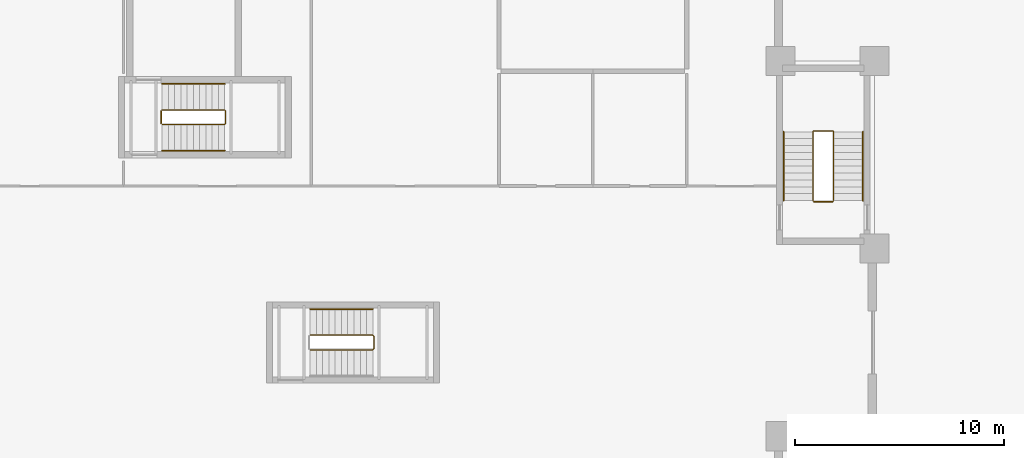
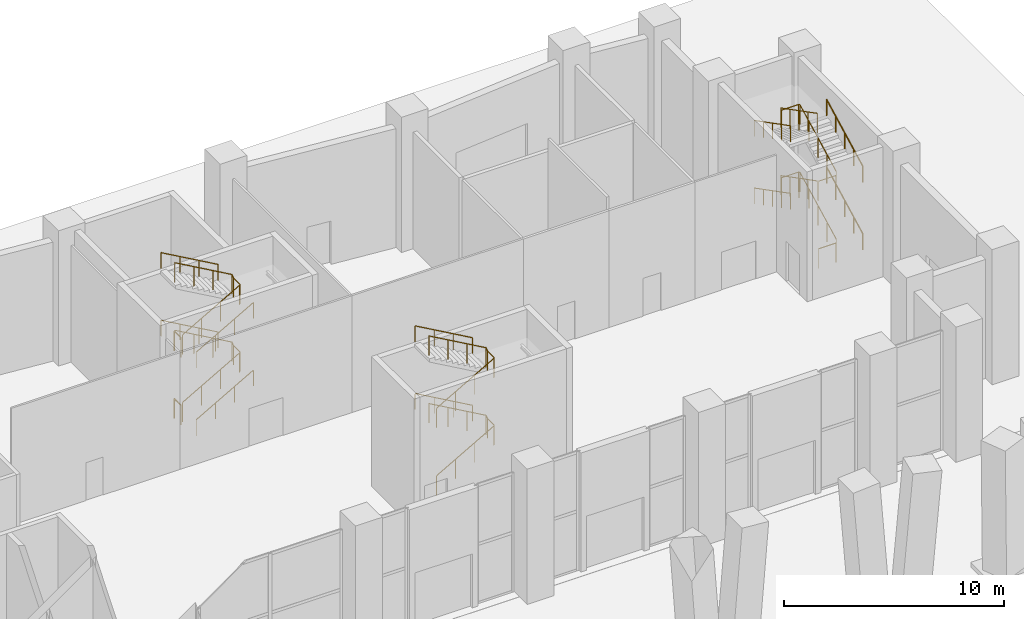
# One storey, part 15 of 16: 20 railings.
"""IFC4 building model written with IfcOpenShell, lengths in metres."""

from ifc_helpers import new_model, si_unit, direction, frame, origin, origin_2d, place, context, subcontext, project, spatial, circle, extrude, material, type_object, element, save


model = new_model("IFC4")

# Units and contexts
model_context = context("Model", 3, precision=1e-05, world=origin(), true_north=direction((0.0, 1.0)))
body_context = subcontext(model_context, "Body", "Model", "MODEL_VIEW")
ifc_project = project(units=[si_unit("LENGTHUNIT", "METRE"), si_unit("AREAUNIT", "SQUARE_METRE"), si_unit("VOLUMEUNIT", "CUBIC_METRE"), si_unit("PLANEANGLEUNIT", "RADIAN"), si_unit("MASSUNIT", "GRAM", prefix="KILO")], contexts=[model_context])

# Site, building, storey
site_placement = place(None, origin())
site = spatial("IfcSite", under=ifc_project, at=site_placement, CompositionType="ELEMENT")
building_placement = place(site_placement, origin())
building = spatial("IfcBuilding", under=site, at=building_placement, Name="Brondeck Convention Tower", CompositionType="ELEMENT")
storey_placement = place(building_placement, origin())
storey = spatial("IfcBuildingStorey", under=building, at=storey_placement, Name="L00", CompositionType="ELEMENT", Elevation=0.0)

# Railings
ifc_material = material(Name="Steel S355", Category="steel")
railing_type_1 = type_object("IfcRailingType", Name="Stair guard 1100", PredefinedType="GUARDRAIL", material=ifc_material)
railing_1_placement = place(storey_placement, frame((37.85009765625, 55.449951171875, 0.17041015625)))
element("IfcRailing", 1, at=railing_1_placement, inside=storey, type_object=railing_type_1, Name="L00 ST-AE stair guard 1", PredefinedType="GUARDRAIL", context=body_context, shape_type="SweptSolid", body=[
    extrude(circle(Radius=0.02392578125, at=origin_2d()), frame((0.0, 0.0, 1.076171875), z_axis=(0.869451031676, 0.0, 0.494019132744), x_axis=(0.0, 1.0, 0.0)), (0.0, 0.0, 1.0), 3.450439453125),
    extrude(circle(Radius=0.02392578125, at=origin_2d()), frame((3.0, 0.0, 2.78076171875), z_axis=(0.705375805398, 0.708833529934, 0.0), x_axis=(-0.708833529934, 0.705375805398, 0.0)), (0.0, 0.0, 1.0), 0.070556640625),
    extrude(circle(Radius=0.02392578125, at=origin_2d()), frame((3.0498046875, 0.050048828125, 2.78076171875), z_axis=(0.0, 1.0, 0.0), x_axis=(-1.0, 0.0, 0.0)), (0.0, 0.0, 1.0), 0.60009765625),
    extrude(circle(Radius=0.02392578125, at=origin_2d()), frame((3.0498046875, 0.650146484375, 2.78076171875), z_axis=(-0.27010131868, 0.27010131868, 0.924170198229), x_axis=(-0.707106781187, -0.707106781187, 0.0)), (0.0, 0.0, 1.0), 0.184326171875),
    extrude(circle(Radius=0.02392578125, at=origin_2d()), frame((3.0, 0.699951171875, 2.951171875), z_axis=(-0.869451031676, 0.0, 0.494019132744), x_axis=(0.0, -1.0, 0.0)), (0.0, 0.0, 1.0), 3.450439453125),
    extrude(circle(Radius=0.02099609375, at=origin_2d()), origin(), (0.0, 0.0, 1.0), 1.052001953125),
    extrude(circle(Radius=0.02099609375, at=origin_2d()), frame((1.0, 0.0, 0.568115234375)), (0.0, 0.0, 1.0), 1.052001953125),
    extrude(circle(Radius=0.02099609375, at=origin_2d()), frame((2.0, 0.0, 1.136474609375)), (0.0, 0.0, 1.0), 1.052001953125),
    extrude(circle(Radius=0.02099609375, at=origin_2d()), frame((3.0, 0.0, 1.70458984375)), (0.0, 0.0, 1.0), 1.052001953125),
    extrude(circle(Radius=0.02099609375, at=origin_2d()), frame((3.0498046875, 0.050048828125, 1.70458984375)), (0.0, 0.0, 1.0), 1.052001953125),
    extrude(circle(Radius=0.02099609375, at=origin_2d()), frame((3.0498046875, 0.650146484375, 1.70458984375)), (0.0, 0.0, 1.0), 1.052001953125),
    extrude(circle(Radius=0.02099609375, at=origin_2d()), frame((3.0, 0.699951171875, 1.875)), (0.0, 0.0, 1.0), 1.052001953125),
    extrude(circle(Radius=0.02099609375, at=origin_2d()), frame((2.0, 0.699951171875, 2.443115234375)), (0.0, 0.0, 1.0), 1.052001953125),
    extrude(circle(Radius=0.02099609375, at=origin_2d()), frame((1.0, 0.699951171875, 3.011474609375)), (0.0, 0.0, 1.0), 1.052001953125),
    extrude(circle(Radius=0.02099609375, at=origin_2d()), frame((0.0, 0.699951171875, 3.57958984375)), (0.0, 0.0, 1.0), 1.052001953125),
])
railing_2_placement = place(storey_placement, frame((37.800048828125, 55.5, 3.75)))
element("IfcRailing", 2, at=railing_2_placement, inside=storey, type_object=railing_type_1, Name="L00 ST-AE stair guard 2", PredefinedType="GUARDRAIL", context=body_context, shape_type="SweptSolid", body=[
    extrude(circle(Radius=0.02392578125, at=origin_2d()), frame((0.0, 0.0, 1.076171875), z_axis=(0.0, 1.0, 0.0), x_axis=(-1.0, 0.0, 0.0)), (0.0, 0.0, 1.0), 0.60009765625),
    extrude(circle(Radius=0.02099609375, at=origin_2d()), origin(), (0.0, 0.0, 1.0), 1.052001953125),
    extrude(circle(Radius=0.02099609375, at=origin_2d()), frame((0.0, 0.60009765625, 0.0)), (0.0, 0.0, 1.0), 1.052001953125),
])
railing_3_placement = place(storey_placement, frame((37.85009765625, 55.449951171875, 3.92041015625)))
element("IfcRailing", 3, at=railing_3_placement, inside=storey, type_object=railing_type_1, Name="L00 ST-AE stair guard 3", PredefinedType="GUARDRAIL", context=body_context, shape_type="SweptSolid", body=[
    extrude(circle(Radius=0.02392578125, at=origin_2d()), frame((0.0, 0.0, 1.076171875), z_axis=(0.869451031676, 0.0, 0.494019132744), x_axis=(0.0, 1.0, 0.0)), (0.0, 0.0, 1.0), 3.450439453125),
    extrude(circle(Radius=0.02392578125, at=origin_2d()), frame((3.0, 0.0, 2.78076171875), z_axis=(0.705375805398, 0.708833529934, 0.0), x_axis=(-0.708833529934, 0.705375805398, 0.0)), (0.0, 0.0, 1.0), 0.070556640625),
    extrude(circle(Radius=0.02392578125, at=origin_2d()), frame((3.0498046875, 0.050048828125, 2.78076171875), z_axis=(0.0, 1.0, 0.0), x_axis=(-1.0, 0.0, 0.0)), (0.0, 0.0, 1.0), 0.60009765625),
    extrude(circle(Radius=0.02392578125, at=origin_2d()), frame((3.0498046875, 0.650146484375, 2.78076171875), z_axis=(-0.27010131868, 0.27010131868, 0.924170198229), x_axis=(-0.707106781187, -0.707106781187, 0.0)), (0.0, 0.0, 1.0), 0.184326171875),
    extrude(circle(Radius=0.02392578125, at=origin_2d()), frame((3.0, 0.699951171875, 2.951171875), z_axis=(-0.869451031676, 0.0, 0.494019132744), x_axis=(0.0, -1.0, 0.0)), (0.0, 0.0, 1.0), 3.450439453125),
    extrude(circle(Radius=0.02099609375, at=origin_2d()), origin(), (0.0, 0.0, 1.0), 1.052001953125),
    extrude(circle(Radius=0.02099609375, at=origin_2d()), frame((1.0, 0.0, 0.568115234375)), (0.0, 0.0, 1.0), 1.052001953125),
    extrude(circle(Radius=0.02099609375, at=origin_2d()), frame((2.0, 0.0, 1.136474609375)), (0.0, 0.0, 1.0), 1.052001953125),
    extrude(circle(Radius=0.02099609375, at=origin_2d()), frame((3.0, 0.0, 1.70458984375)), (0.0, 0.0, 1.0), 1.052001953125),
    extrude(circle(Radius=0.02099609375, at=origin_2d()), frame((3.0498046875, 0.050048828125, 1.70458984375)), (0.0, 0.0, 1.0), 1.052001953125),
    extrude(circle(Radius=0.02099609375, at=origin_2d()), frame((3.0498046875, 0.650146484375, 1.70458984375)), (0.0, 0.0, 1.0), 1.052001953125),
    extrude(circle(Radius=0.02099609375, at=origin_2d()), frame((3.0, 0.699951171875, 1.875)), (0.0, 0.0, 1.0), 1.052001953125),
    extrude(circle(Radius=0.02099609375, at=origin_2d()), frame((2.0, 0.699951171875, 2.443115234375)), (0.0, 0.0, 1.0), 1.052001953125),
    extrude(circle(Radius=0.02099609375, at=origin_2d()), frame((1.0, 0.699951171875, 3.011474609375)), (0.0, 0.0, 1.0), 1.052001953125),
    extrude(circle(Radius=0.02099609375, at=origin_2d()), frame((0.0, 0.699951171875, 3.57958984375)), (0.0, 0.0, 1.0), 1.052001953125),
])
railing_4_placement = place(storey_placement, frame((37.800048828125, 55.5, 0.0)))
element("IfcRailing", 4, at=railing_4_placement, inside=storey, type_object=railing_type_1, Name="L00 ST-AE stair guard 4", PredefinedType="GUARDRAIL", context=body_context, shape_type="SweptSolid", body=[
    extrude(circle(Radius=0.02392578125, at=origin_2d()), frame((0.0, 0.0, 1.076171875), z_axis=(0.0, 1.0, 0.0), x_axis=(-1.0, 0.0, 0.0)), (0.0, 0.0, 1.0), 0.60009765625),
    extrude(circle(Radius=0.02099609375, at=origin_2d()), origin(), (0.0, 0.0, 1.0), 1.052001953125),
    extrude(circle(Radius=0.02099609375, at=origin_2d()), frame((0.0, 0.60009765625, 0.0)), (0.0, 0.0, 1.0), 1.052001953125),
])
railing_5_placement = place(storey_placement, frame((44.949951171875, 44.64990234375, 0.17041015625)))
element("IfcRailing", 5, at=railing_5_placement, inside=storey, type_object=railing_type_1, Name="L00 ST-AF stair guard 1", PredefinedType="GUARDRAIL", context=body_context, shape_type="SweptSolid", body=[
    extrude(circle(Radius=0.02392578125, at=origin_2d()), frame((0.0, 0.0, 1.076171875), z_axis=(0.869451031676, 0.0, 0.494019132744), x_axis=(0.0, 1.0, 0.0)), (0.0, 0.0, 1.0), 3.450439453125),
    extrude(circle(Radius=0.02392578125, at=origin_2d()), frame((3.0, 0.0, 2.78076171875), z_axis=(0.707106781187, 0.707106781187, 0.0), x_axis=(-0.707106781187, 0.707106781187, 0.0)), (0.0, 0.0, 1.0), 0.07080078125),
    extrude(circle(Radius=0.02392578125, at=origin_2d()), frame((3.050048828125, 0.050048828125, 2.78076171875), z_axis=(0.0, 1.0, 0.0), x_axis=(-1.0, 0.0, 0.0)), (0.0, 0.0, 1.0), 0.60009765625),
    extrude(circle(Radius=0.02392578125, at=origin_2d()), frame((3.050048828125, 0.650146484375, 2.78076171875), z_axis=(-0.271230943075, 0.271230943075, 0.923508284228), x_axis=(-0.707106781187, -0.707106781187, 0.0)), (0.0, 0.0, 1.0), 0.1845703125),
    extrude(circle(Radius=0.02392578125, at=origin_2d()), frame((3.0, 0.7001953125, 2.951171875), z_axis=(-0.869451031676, 0.0, 0.494019132744), x_axis=(0.0, -1.0, 0.0)), (0.0, 0.0, 1.0), 3.450439453125),
    extrude(circle(Radius=0.02099609375, at=origin_2d()), origin(), (0.0, 0.0, 1.0), 1.052001953125),
    extrude(circle(Radius=0.02099609375, at=origin_2d()), frame((1.0, 0.0, 0.568115234375)), (0.0, 0.0, 1.0), 1.052001953125),
    extrude(circle(Radius=0.02099609375, at=origin_2d()), frame((2.0, 0.0, 1.136474609375)), (0.0, 0.0, 1.0), 1.052001953125),
    extrude(circle(Radius=0.02099609375, at=origin_2d()), frame((3.0, 0.0, 1.70458984375)), (0.0, 0.0, 1.0), 1.052001953125),
    extrude(circle(Radius=0.02099609375, at=origin_2d()), frame((3.050048828125, 0.050048828125, 1.70458984375)), (0.0, 0.0, 1.0), 1.052001953125),
    extrude(circle(Radius=0.02099609375, at=origin_2d()), frame((3.050048828125, 0.650146484375, 1.70458984375)), (0.0, 0.0, 1.0), 1.052001953125),
    extrude(circle(Radius=0.02099609375, at=origin_2d()), frame((3.0, 0.7001953125, 1.875)), (0.0, 0.0, 1.0), 1.052001953125),
    extrude(circle(Radius=0.02099609375, at=origin_2d()), frame((2.0, 0.7001953125, 2.443115234375)), (0.0, 0.0, 1.0), 1.052001953125),
    extrude(circle(Radius=0.02099609375, at=origin_2d()), frame((1.0, 0.7001953125, 3.011474609375)), (0.0, 0.0, 1.0), 1.052001953125),
    extrude(circle(Radius=0.02099609375, at=origin_2d()), frame((0.0, 0.7001953125, 3.57958984375)), (0.0, 0.0, 1.0), 1.052001953125),
])
railing_6_placement = place(storey_placement, frame((44.949951171875, 44.64990234375, 3.92041015625)))
element("IfcRailing", 6, at=railing_6_placement, inside=storey, type_object=railing_type_1, Name="L00 ST-AF stair guard 3", PredefinedType="GUARDRAIL", context=body_context, shape_type="SweptSolid", body=[
    extrude(circle(Radius=0.02392578125, at=origin_2d()), frame((0.0, 0.0, 1.076171875), z_axis=(0.869451031676, 0.0, 0.494019132744), x_axis=(0.0, 1.0, 0.0)), (0.0, 0.0, 1.0), 3.450439453125),
    extrude(circle(Radius=0.02392578125, at=origin_2d()), frame((3.0, 0.0, 2.78076171875), z_axis=(0.707106781187, 0.707106781187, 0.0), x_axis=(-0.707106781187, 0.707106781187, 0.0)), (0.0, 0.0, 1.0), 0.07080078125),
    extrude(circle(Radius=0.02392578125, at=origin_2d()), frame((3.050048828125, 0.050048828125, 2.78076171875), z_axis=(0.0, 1.0, 0.0), x_axis=(-1.0, 0.0, 0.0)), (0.0, 0.0, 1.0), 0.60009765625),
    extrude(circle(Radius=0.02392578125, at=origin_2d()), frame((3.050048828125, 0.650146484375, 2.78076171875), z_axis=(-0.271230943075, 0.271230943075, 0.923508284228), x_axis=(-0.707106781187, -0.707106781187, 0.0)), (0.0, 0.0, 1.0), 0.1845703125),
    extrude(circle(Radius=0.02392578125, at=origin_2d()), frame((3.0, 0.7001953125, 2.951171875), z_axis=(-0.869451031676, 0.0, 0.494019132744), x_axis=(0.0, -1.0, 0.0)), (0.0, 0.0, 1.0), 3.450439453125),
    extrude(circle(Radius=0.02099609375, at=origin_2d()), origin(), (0.0, 0.0, 1.0), 1.052001953125),
    extrude(circle(Radius=0.02099609375, at=origin_2d()), frame((1.0, 0.0, 0.568115234375)), (0.0, 0.0, 1.0), 1.052001953125),
    extrude(circle(Radius=0.02099609375, at=origin_2d()), frame((2.0, 0.0, 1.136474609375)), (0.0, 0.0, 1.0), 1.052001953125),
    extrude(circle(Radius=0.02099609375, at=origin_2d()), frame((3.0, 0.0, 1.70458984375)), (0.0, 0.0, 1.0), 1.052001953125),
    extrude(circle(Radius=0.02099609375, at=origin_2d()), frame((3.050048828125, 0.050048828125, 1.70458984375)), (0.0, 0.0, 1.0), 1.052001953125),
    extrude(circle(Radius=0.02099609375, at=origin_2d()), frame((3.050048828125, 0.650146484375, 1.70458984375)), (0.0, 0.0, 1.0), 1.052001953125),
    extrude(circle(Radius=0.02099609375, at=origin_2d()), frame((3.0, 0.7001953125, 1.875)), (0.0, 0.0, 1.0), 1.052001953125),
    extrude(circle(Radius=0.02099609375, at=origin_2d()), frame((2.0, 0.7001953125, 2.443115234375)), (0.0, 0.0, 1.0), 1.052001953125),
    extrude(circle(Radius=0.02099609375, at=origin_2d()), frame((1.0, 0.7001953125, 3.011474609375)), (0.0, 0.0, 1.0), 1.052001953125),
    extrude(circle(Radius=0.02099609375, at=origin_2d()), frame((0.0, 0.7001953125, 3.57958984375)), (0.0, 0.0, 1.0), 1.052001953125),
])
railing_7_placement = place(storey_placement, frame((70.050048828125, 51.800048828125, 0.17041015625)))
element("IfcRailing", 7, at=railing_7_placement, inside=storey, type_object=railing_type_1, Name="L00 PS-1 stair guard 1", PredefinedType="GUARDRAIL", context=body_context, shape_type="SweptSolid", body=[
    extrude(circle(Radius=0.02392578125, at=origin_2d()), frame((0.0, 0.0, 1.076171875), z_axis=(0.0, 0.888473704436, 0.458927528621), x_axis=(-1.0, 0.0, 0.0)), (0.0, 0.0, 1.0), 3.71435546875),
    extrude(circle(Radius=0.02392578125, at=origin_2d()), frame((0.0, 3.300048828125, 2.78076171875), z_axis=(-0.708833529934, 0.705375805398, 0.0), x_axis=(-0.705375805398, -0.708833529934, 0.0)), (0.0, 0.0, 1.0), 0.070556640625),
    extrude(circle(Radius=0.02392578125, at=origin_2d()), frame((-0.050048828125, 3.349853515625, 2.78076171875), z_axis=(-1.0, 0.0, 0.0), x_axis=(0.0, -1.0, 0.0)), (0.0, 0.0, 1.0), 0.89990234375),
    extrude(circle(Radius=0.02392578125, at=origin_2d()), frame((-0.949951171875, 3.349853515625, 2.78076171875), z_axis=(-0.271328091682, -0.270004540015, 0.923839063385), x_axis=(0.705375805398, -0.708833529934, 0.0)), (0.0, 0.0, 1.0), 0.1845703125),
    extrude(circle(Radius=0.02392578125, at=origin_2d()), frame((-1.0, 3.300048828125, 2.951171875), z_axis=(0.0, -0.888473704436, 0.458927528621), x_axis=(1.0, 0.0, 0.0)), (0.0, 0.0, 1.0), 3.71435546875),
    extrude(circle(Radius=0.02099609375, at=origin_2d()), origin(), (0.0, 0.0, 1.0), 1.052001953125),
    extrude(circle(Radius=0.02099609375, at=origin_2d()), frame((0.0, 0.824951171875, 0.42626953125)), (0.0, 0.0, 1.0), 1.052001953125),
    extrude(circle(Radius=0.02099609375, at=origin_2d()), frame((0.0, 1.64990234375, 0.852294921875)), (0.0, 0.0, 1.0), 1.052001953125),
    extrude(circle(Radius=0.02099609375, at=origin_2d()), frame((0.0, 2.47509765625, 1.2783203125)), (0.0, 0.0, 1.0), 1.052001953125),
    extrude(circle(Radius=0.02099609375, at=origin_2d()), frame((0.0, 3.300048828125, 1.70458984375)), (0.0, 0.0, 1.0), 1.052001953125),
    extrude(circle(Radius=0.02099609375, at=origin_2d()), frame((-0.050048828125, 3.349853515625, 1.70458984375)), (0.0, 0.0, 1.0), 1.052001953125),
    extrude(circle(Radius=0.02099609375, at=origin_2d()), frame((-0.949951171875, 3.349853515625, 1.70458984375)), (0.0, 0.0, 1.0), 1.052001953125),
    extrude(circle(Radius=0.02099609375, at=origin_2d()), frame((-1.0, 3.300048828125, 1.875)), (0.0, 0.0, 1.0), 1.052001953125),
    extrude(circle(Radius=0.02099609375, at=origin_2d()), frame((-1.0, 2.47509765625, 2.30126953125)), (0.0, 0.0, 1.0), 1.052001953125),
    extrude(circle(Radius=0.02099609375, at=origin_2d()), frame((-1.0, 1.64990234375, 2.727294921875)), (0.0, 0.0, 1.0), 1.052001953125),
    extrude(circle(Radius=0.02099609375, at=origin_2d()), frame((-1.0, 0.824951171875, 3.1533203125)), (0.0, 0.0, 1.0), 1.052001953125),
    extrude(circle(Radius=0.02099609375, at=origin_2d()), frame((-1.0, 0.0, 3.57958984375)), (0.0, 0.0, 1.0), 1.052001953125),
])
railing_8_placement = place(storey_placement, frame((70.0, 51.75, 3.75)))
element("IfcRailing", 8, at=railing_8_placement, inside=storey, type_object=railing_type_1, Name="L00 PS-1 stair guard 2", PredefinedType="GUARDRAIL", context=body_context, shape_type="SweptSolid", body=[
    extrude(circle(Radius=0.02392578125, at=origin_2d()), frame((0.0, 0.0, 1.076171875), z_axis=(-1.0, 0.0, 0.0), x_axis=(0.0, -1.0, 0.0)), (0.0, 0.0, 1.0), 0.89990234375),
    extrude(circle(Radius=0.02099609375, at=origin_2d()), origin(), (0.0, 0.0, 1.0), 1.052001953125),
    extrude(circle(Radius=0.02099609375, at=origin_2d()), frame((-0.89990234375, 0.0, 0.0)), (0.0, 0.0, 1.0), 1.052001953125),
])
railing_9_placement = place(storey_placement, frame((70.050048828125, 51.800048828125, 3.92041015625)))
element("IfcRailing", 9, at=railing_9_placement, inside=storey, type_object=railing_type_1, Name="L00 PS-1 stair guard 3", PredefinedType="GUARDRAIL", context=body_context, shape_type="SweptSolid", body=[
    extrude(circle(Radius=0.02392578125, at=origin_2d()), frame((0.0, 0.0, 1.076171875), z_axis=(0.0, 0.888473704436, 0.458927528621), x_axis=(-1.0, 0.0, 0.0)), (0.0, 0.0, 1.0), 3.71435546875),
    extrude(circle(Radius=0.02392578125, at=origin_2d()), frame((0.0, 3.300048828125, 2.78076171875), z_axis=(-0.708833529934, 0.705375805398, 0.0), x_axis=(-0.705375805398, -0.708833529934, 0.0)), (0.0, 0.0, 1.0), 0.070556640625),
    extrude(circle(Radius=0.02392578125, at=origin_2d()), frame((-0.050048828125, 3.349853515625, 2.78076171875), z_axis=(-1.0, 0.0, 0.0), x_axis=(0.0, -1.0, 0.0)), (0.0, 0.0, 1.0), 0.89990234375),
    extrude(circle(Radius=0.02392578125, at=origin_2d()), frame((-0.949951171875, 3.349853515625, 2.78076171875), z_axis=(-0.271328091682, -0.270004540015, 0.923839063385), x_axis=(0.705375805398, -0.708833529934, 0.0)), (0.0, 0.0, 1.0), 0.1845703125),
    extrude(circle(Radius=0.02392578125, at=origin_2d()), frame((-1.0, 3.300048828125, 2.951171875), z_axis=(0.0, -0.888473704436, 0.458927528621), x_axis=(1.0, 0.0, 0.0)), (0.0, 0.0, 1.0), 3.71435546875),
    extrude(circle(Radius=0.02099609375, at=origin_2d()), origin(), (0.0, 0.0, 1.0), 1.052001953125),
    extrude(circle(Radius=0.02099609375, at=origin_2d()), frame((0.0, 0.824951171875, 0.42626953125)), (0.0, 0.0, 1.0), 1.052001953125),
    extrude(circle(Radius=0.02099609375, at=origin_2d()), frame((0.0, 1.64990234375, 0.852294921875)), (0.0, 0.0, 1.0), 1.052001953125),
    extrude(circle(Radius=0.02099609375, at=origin_2d()), frame((0.0, 2.47509765625, 1.2783203125)), (0.0, 0.0, 1.0), 1.052001953125),
    extrude(circle(Radius=0.02099609375, at=origin_2d()), frame((0.0, 3.300048828125, 1.70458984375)), (0.0, 0.0, 1.0), 1.052001953125),
    extrude(circle(Radius=0.02099609375, at=origin_2d()), frame((-0.050048828125, 3.349853515625, 1.70458984375)), (0.0, 0.0, 1.0), 1.052001953125),
    extrude(circle(Radius=0.02099609375, at=origin_2d()), frame((-0.949951171875, 3.349853515625, 1.70458984375)), (0.0, 0.0, 1.0), 1.052001953125),
    extrude(circle(Radius=0.02099609375, at=origin_2d()), frame((-1.0, 3.300048828125, 1.875)), (0.0, 0.0, 1.0), 1.052001953125),
    extrude(circle(Radius=0.02099609375, at=origin_2d()), frame((-1.0, 2.47509765625, 2.30126953125)), (0.0, 0.0, 1.0), 1.052001953125),
    extrude(circle(Radius=0.02099609375, at=origin_2d()), frame((-1.0, 1.64990234375, 2.727294921875)), (0.0, 0.0, 1.0), 1.052001953125),
    extrude(circle(Radius=0.02099609375, at=origin_2d()), frame((-1.0, 0.824951171875, 3.1533203125)), (0.0, 0.0, 1.0), 1.052001953125),
    extrude(circle(Radius=0.02099609375, at=origin_2d()), frame((-1.0, 0.0, 3.57958984375)), (0.0, 0.0, 1.0), 1.052001953125),
])
railing_10_placement = place(storey_placement, frame((70.0, 51.75, 0.0)))
element("IfcRailing", 10, at=railing_10_placement, inside=storey, type_object=railing_type_1, Name="L00 PS-1 stair guard 4", PredefinedType="GUARDRAIL", context=body_context, shape_type="SweptSolid", body=[
    extrude(circle(Radius=0.02392578125, at=origin_2d()), frame((0.0, 0.0, 1.076171875), z_axis=(-1.0, 0.0, 0.0), x_axis=(0.0, -1.0, 0.0)), (0.0, 0.0, 1.0), 0.89990234375),
    extrude(circle(Radius=0.02099609375, at=origin_2d()), origin(), (0.0, 0.0, 1.0), 1.052001953125),
    extrude(circle(Radius=0.02099609375, at=origin_2d()), frame((-0.89990234375, 0.0, 0.0)), (0.0, 0.0, 1.0), 1.052001953125),
])
railing_type_2 = type_object("IfcRailingType", Name="Stair handrail", PredefinedType="HANDRAIL", material=ifc_material)
railing_11_placement = place(storey_placement, frame((37.85009765625, 54.199951171875, 0.17041015625)))
element("IfcRailing", 11, at=railing_11_placement, inside=storey, type_object=railing_type_2, Name="L00 ST-AE stair handrail 1", PredefinedType="HANDRAIL", context=body_context, shape_type="SweptSolid", body=[
    extrude(circle(Radius=0.02392578125, at=origin_2d()), frame((0.0, 0.0, 0.8759765625), z_axis=(0.869451031676, 0.0, 0.494019132744), x_axis=(0.0, 1.0, 0.0)), (0.0, 0.0, 1.0), 3.450439453125),
    extrude(circle(Radius=0.02099609375, at=origin_2d()), origin(), (0.0, 0.0, 1.0), 0.851806640625),
    extrude(circle(Radius=0.02099609375, at=origin_2d()), frame((1.0, 0.0, 0.568115234375)), (0.0, 0.0, 1.0), 0.851806640625),
    extrude(circle(Radius=0.02099609375, at=origin_2d()), frame((2.0, 0.0, 1.136474609375)), (0.0, 0.0, 1.0), 0.851806640625),
    extrude(circle(Radius=0.02099609375, at=origin_2d()), frame((3.0, 0.0, 1.70458984375)), (0.0, 0.0, 1.0), 0.851806640625),
])
railing_12_placement = place(storey_placement, frame((40.85009765625, 57.39990234375, 2.04541015625)))
element("IfcRailing", 12, at=railing_12_placement, inside=storey, type_object=railing_type_2, Name="L00 ST-AE stair handrail 2", PredefinedType="HANDRAIL", context=body_context, shape_type="SweptSolid", body=[
    extrude(circle(Radius=0.02392578125, at=origin_2d()), frame((0.0, 0.0, 0.8759765625), z_axis=(-0.869451031676, 0.0, 0.494019132744), x_axis=(0.0, -1.0, 0.0)), (0.0, 0.0, 1.0), 3.450439453125),
    extrude(circle(Radius=0.02099609375, at=origin_2d()), origin(), (0.0, 0.0, 1.0), 0.851806640625),
    extrude(circle(Radius=0.02099609375, at=origin_2d()), frame((-1.0, 0.0, 0.568115234375)), (0.0, 0.0, 1.0), 0.851806640625),
    extrude(circle(Radius=0.02099609375, at=origin_2d()), frame((-2.0, 0.0, 1.136474609375)), (0.0, 0.0, 1.0), 0.851806640625),
    extrude(circle(Radius=0.02099609375, at=origin_2d()), frame((-3.0, 0.0, 1.70458984375)), (0.0, 0.0, 1.0), 0.851806640625),
])
railing_13_placement = place(storey_placement, frame((37.85009765625, 54.199951171875, 3.92041015625)))
element("IfcRailing", 13, at=railing_13_placement, inside=storey, type_object=railing_type_2, Name="L00 ST-AE stair handrail 3", PredefinedType="HANDRAIL", context=body_context, shape_type="SweptSolid", body=[
    extrude(circle(Radius=0.02392578125, at=origin_2d()), frame((0.0, 0.0, 0.8759765625), z_axis=(0.869451031676, 0.0, 0.494019132744), x_axis=(0.0, 1.0, 0.0)), (0.0, 0.0, 1.0), 3.450439453125),
    extrude(circle(Radius=0.02099609375, at=origin_2d()), origin(), (0.0, 0.0, 1.0), 0.851806640625),
    extrude(circle(Radius=0.02099609375, at=origin_2d()), frame((1.0, 0.0, 0.568115234375)), (0.0, 0.0, 1.0), 0.851806640625),
    extrude(circle(Radius=0.02099609375, at=origin_2d()), frame((2.0, 0.0, 1.136474609375)), (0.0, 0.0, 1.0), 0.851806640625),
    extrude(circle(Radius=0.02099609375, at=origin_2d()), frame((3.0, 0.0, 1.70458984375)), (0.0, 0.0, 1.0), 0.851806640625),
])
for number, where, name in (
    (14, (40.85009765625, 57.39990234375, 5.79541015625), "L00 ST-AE stair handrail 4"),
    (15, (47.949951171875, 46.60009765625, 2.04541015625), "L00 ST-AF stair handrail 2"),
    (16, (47.949951171875, 46.60009765625, 5.79541015625), "L00 ST-AF stair handrail 4"),
):
    element("IfcRailing", number, at=place(storey_placement, frame(where)), inside=storey, type_object=railing_type_2, Name=name, PredefinedType="HANDRAIL", context=body_context, shape_type="SweptSolid", body=[
        extrude(circle(Radius=0.02392578125, at=origin_2d()), frame((0.0, 0.0, 0.8759765625), z_axis=(-0.869451031676, 0.0, 0.494019132744), x_axis=(0.0, -1.0, 0.0)), (0.0, 0.0, 1.0), 3.450439453125),
        extrude(circle(Radius=0.02099609375, at=origin_2d()), origin(), (0.0, 0.0, 1.0), 0.851806640625),
        extrude(circle(Radius=0.02099609375, at=origin_2d()), frame((-1.0, 0.0, 0.568115234375)), (0.0, 0.0, 1.0), 0.851806640625),
        extrude(circle(Radius=0.02099609375, at=origin_2d()), frame((-2.0, 0.0, 1.136474609375)), (0.0, 0.0, 1.0), 0.851806640625),
        extrude(circle(Radius=0.02099609375, at=origin_2d()), frame((-3.0, 0.0, 1.70458984375)), (0.0, 0.0, 1.0), 0.851806640625),
    ])
railing_14_placement = place(storey_placement, frame((71.449951171875, 51.800048828125, 0.17041015625)))
element("IfcRailing", 17, at=railing_14_placement, inside=storey, type_object=railing_type_2, Name="L00 PS-1 stair handrail 1", PredefinedType="HANDRAIL", context=body_context, shape_type="SweptSolid", body=[
    extrude(circle(Radius=0.02392578125, at=origin_2d()), frame((0.0, 0.0, 0.8759765625), z_axis=(0.0, 0.888473704436, 0.458927528621), x_axis=(-1.0, 0.0, 0.0)), (0.0, 0.0, 1.0), 3.71435546875),
    extrude(circle(Radius=0.02099609375, at=origin_2d()), origin(), (0.0, 0.0, 1.0), 0.851806640625),
    extrude(circle(Radius=0.02099609375, at=origin_2d()), frame((0.0, 0.824951171875, 0.42626953125)), (0.0, 0.0, 1.0), 0.851806640625),
    extrude(circle(Radius=0.02099609375, at=origin_2d()), frame((0.0, 1.64990234375, 0.852294921875)), (0.0, 0.0, 1.0), 0.851806640625),
    extrude(circle(Radius=0.02099609375, at=origin_2d()), frame((0.0, 2.47509765625, 1.2783203125)), (0.0, 0.0, 1.0), 0.851806640625),
    extrude(circle(Radius=0.02099609375, at=origin_2d()), frame((0.0, 3.300048828125, 1.70458984375)), (0.0, 0.0, 1.0), 0.851806640625),
])
railing_15_placement = place(storey_placement, frame((67.64990234375, 55.10009765625, 2.04541015625)))
element("IfcRailing", 18, at=railing_15_placement, inside=storey, type_object=railing_type_2, Name="L00 PS-1 stair handrail 2", PredefinedType="HANDRAIL", context=body_context, shape_type="SweptSolid", body=[
    extrude(circle(Radius=0.02392578125, at=origin_2d()), frame((0.0, 0.0, 0.8759765625), z_axis=(0.0, -0.888473704436, 0.458927528621), x_axis=(1.0, 0.0, 0.0)), (0.0, 0.0, 1.0), 3.71435546875),
    extrude(circle(Radius=0.02099609375, at=origin_2d()), origin(), (0.0, 0.0, 1.0), 0.851806640625),
    extrude(circle(Radius=0.02099609375, at=origin_2d()), frame((0.0, -0.824951171875, 0.42626953125)), (0.0, 0.0, 1.0), 0.851806640625),
    extrude(circle(Radius=0.02099609375, at=origin_2d()), frame((0.0, -1.64990234375, 0.852294921875)), (0.0, 0.0, 1.0), 0.851806640625),
    extrude(circle(Radius=0.02099609375, at=origin_2d()), frame((0.0, -2.47509765625, 1.2783203125)), (0.0, 0.0, 1.0), 0.851806640625),
    extrude(circle(Radius=0.02099609375, at=origin_2d()), frame((0.0, -3.300048828125, 1.70458984375)), (0.0, 0.0, 1.0), 0.851806640625),
])
railing_16_placement = place(storey_placement, frame((71.449951171875, 51.800048828125, 3.92041015625)))
element("IfcRailing", 19, at=railing_16_placement, inside=storey, type_object=railing_type_2, Name="L00 PS-1 stair handrail 3", PredefinedType="HANDRAIL", context=body_context, shape_type="SweptSolid", body=[
    extrude(circle(Radius=0.02392578125, at=origin_2d()), frame((0.0, 0.0, 0.8759765625), z_axis=(0.0, 0.888473704436, 0.458927528621), x_axis=(-1.0, 0.0, 0.0)), (0.0, 0.0, 1.0), 3.71435546875),
    extrude(circle(Radius=0.02099609375, at=origin_2d()), origin(), (0.0, 0.0, 1.0), 0.851806640625),
    extrude(circle(Radius=0.02099609375, at=origin_2d()), frame((0.0, 0.824951171875, 0.42626953125)), (0.0, 0.0, 1.0), 0.851806640625),
    extrude(circle(Radius=0.02099609375, at=origin_2d()), frame((0.0, 1.64990234375, 0.852294921875)), (0.0, 0.0, 1.0), 0.851806640625),
    extrude(circle(Radius=0.02099609375, at=origin_2d()), frame((0.0, 2.47509765625, 1.2783203125)), (0.0, 0.0, 1.0), 0.851806640625),
    extrude(circle(Radius=0.02099609375, at=origin_2d()), frame((0.0, 3.300048828125, 1.70458984375)), (0.0, 0.0, 1.0), 0.851806640625),
])
railing_17_placement = place(storey_placement, frame((67.64990234375, 55.10009765625, 5.79541015625)))
element("IfcRailing", 20, at=railing_17_placement, inside=storey, type_object=railing_type_2, Name="L00 PS-1 stair handrail 4", PredefinedType="HANDRAIL", context=body_context, shape_type="SweptSolid", body=[
    extrude(circle(Radius=0.02392578125, at=origin_2d()), frame((0.0, 0.0, 0.8759765625), z_axis=(0.0, -0.888473704436, 0.458927528621), x_axis=(1.0, 0.0, 0.0)), (0.0, 0.0, 1.0), 3.71435546875),
    extrude(circle(Radius=0.02099609375, at=origin_2d()), origin(), (0.0, 0.0, 1.0), 0.851806640625),
    extrude(circle(Radius=0.02099609375, at=origin_2d()), frame((0.0, -0.824951171875, 0.42626953125)), (0.0, 0.0, 1.0), 0.851806640625),
    extrude(circle(Radius=0.02099609375, at=origin_2d()), frame((0.0, -1.64990234375, 0.852294921875)), (0.0, 0.0, 1.0), 0.851806640625),
    extrude(circle(Radius=0.02099609375, at=origin_2d()), frame((0.0, -2.47509765625, 1.2783203125)), (0.0, 0.0, 1.0), 0.851806640625),
    extrude(circle(Radius=0.02099609375, at=origin_2d()), frame((0.0, -3.300048828125, 1.70458984375)), (0.0, 0.0, 1.0), 0.851806640625),
])

save(model, "model.ifc")
